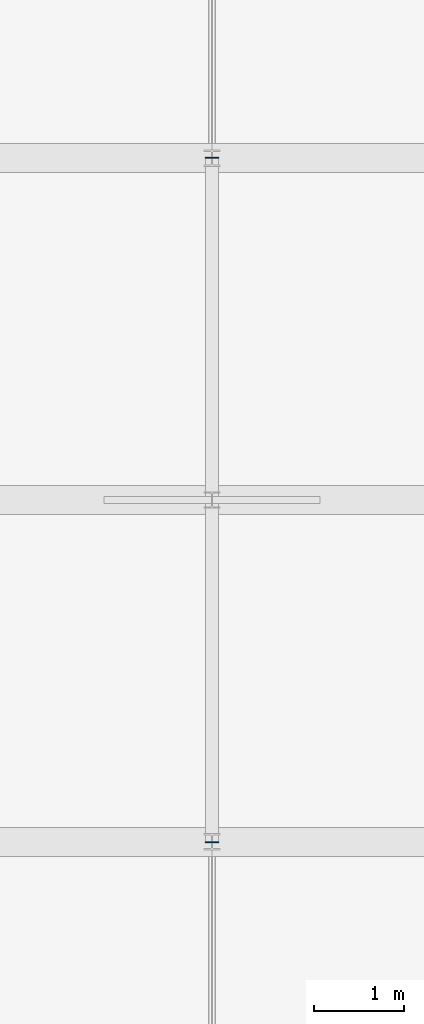
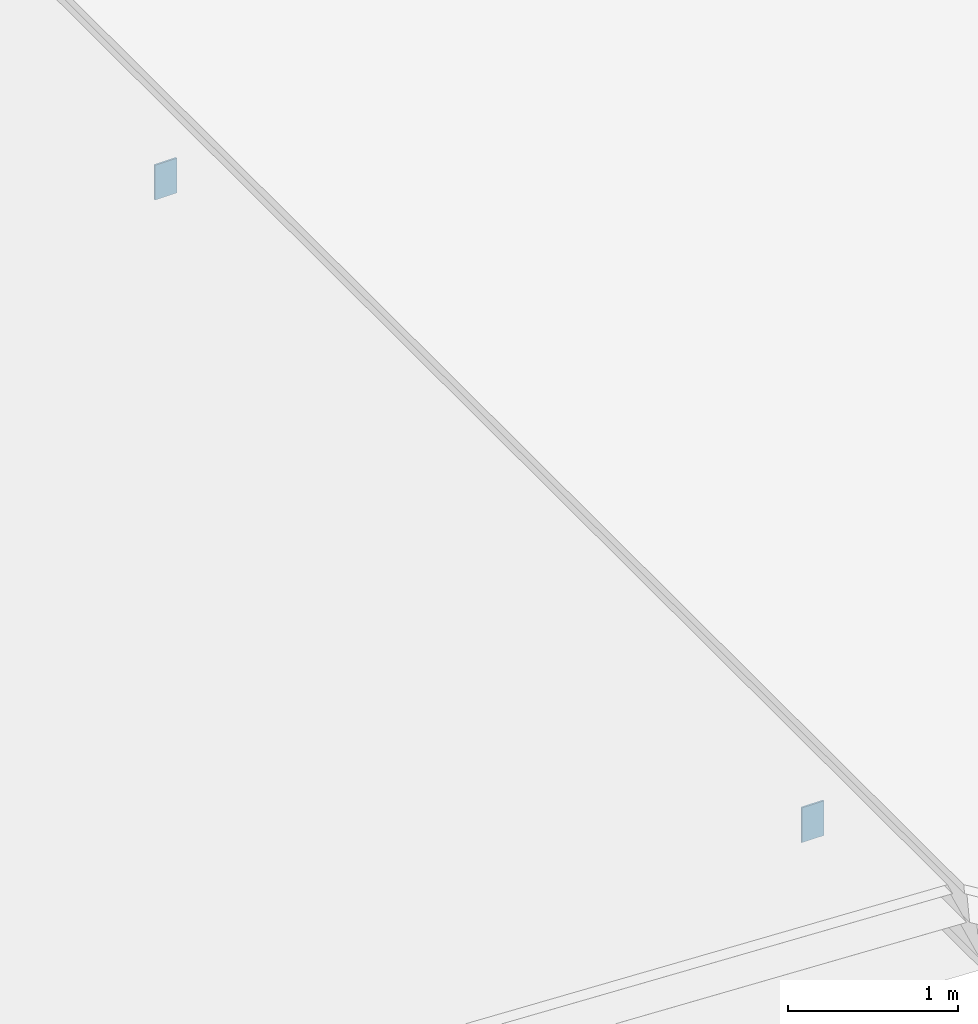
# One storey, part 41 of 61: 2 plates.
"""IFC4 building model written with IfcOpenShell, lengths in metres."""

import ifcopenshell
import ifcopenshell.guid

model = None  # the IFC model being written
_history = None  # IfcOwnerHistory: only IFC2X3 demands one
_inside = {}  # id of a spatial element -> (the spatial element, [elements in it])
_under = {}  # id of a project, library or spatial element -> (it, [spatial elements below it])
_declared = {}  # id of a project -> (the project, [libraries it declares])
_typed = {}  # id of a type object -> (the type object, [elements of that type])
_made_of = {}  # id of a material, layer set ... -> (it, [elements and type objects made of it])


def new_model(schema):
    """Start an empty IFC model of exactly this schema.

    Asked for "IFC4X3", IfcOpenShell would pick the latest addendum, in which some entities
    have other attributes; the version numbers below select the first issue.
    IFC2X3 requires an IfcOwnerHistory on every rooted entity: one is made here for all.
    """
    global model, _history
    if schema == "IFC4X3":
        model = ifcopenshell.file(schema_version=(4, 3, 0, 0))
    else:
        model = ifcopenshell.file(schema=schema)
    _inside.clear()
    _under.clear()
    _declared.clear()
    _typed.clear()
    _made_of.clear()
    _history = None
    if model.schema == "IFC2X3":
        org = make("IfcOrganization", Name="unknown")
        user = make(
            "IfcPersonAndOrganization",
            ThePerson=make("IfcPerson", FamilyName="unknown"),
            TheOrganization=org,
        )
        app = make(
            "IfcApplication",
            ApplicationDeveloper=org,
            Version="unknown",
            ApplicationFullName="unknown",
            ApplicationIdentifier="unknown",
        )
        _history = make(
            "IfcOwnerHistory",
            OwningUser=user,
            OwningApplication=app,
            ChangeAction="ADDED",
            CreationDate=0,
        )
    return model


def make(cls, **values):
    """One entity of the class cls with the attributes given. An attribute that is None is left unset."""
    return model.create_entity(
        cls, **{name: value for name, value in values.items() if value is not None}
    )


def rooted(cls, **values):
    """An entity with a GlobalId (a new one), such as an element, a storey or a relation."""
    return make(cls, GlobalId=ifcopenshell.guid.new(), OwnerHistory=_history, **values)


def si_unit(unit_type, name, prefix=None):
    """IfcSIUnit, for example si_unit("LENGTHUNIT", "METRE", prefix="MILLI")."""
    return make("IfcSIUnit", UnitType=unit_type, Prefix=prefix, Name=name)


def assignment(units):
    """IfcUnitAssignment: the units of a project."""
    return None if units is None else make("IfcUnitAssignment", Units=units)


def point(xyz):
    """IfcCartesianPoint."""
    return None if xyz is None else make("IfcCartesianPoint", Coordinates=xyz)


def direction(xyz):
    """IfcDirection."""
    return None if xyz is None else make("IfcDirection", DirectionRatios=xyz)


def frame(location, z_axis=None, x_axis=None):
    """IfcAxis2Placement3D, a coordinate frame: its origin and axes. An axis left out is left unset."""
    return make(
        "IfcAxis2Placement3D",
        Location=point(location),
        Axis=direction(z_axis),
        RefDirection=direction(x_axis),
    )


def frame_2d(location, x_axis=None):
    """IfcAxis2Placement2D, a coordinate frame in the plane: its origin and x axis."""
    return make(
        "IfcAxis2Placement2D", Location=point(location), RefDirection=direction(x_axis)
    )


def origin():
    """The frame at (0, 0, 0) with its axes left unset."""
    return frame((0.0, 0.0, 0.0))


def origin_2d():
    """The frame at (0, 0) in the plane with its x axis left unset."""
    return frame_2d((0.0, 0.0))


def place(relative_to, where):
    """IfcLocalPlacement: puts the frame where relative to a parent placement (None: the world)."""
    return make(
        "IfcLocalPlacement", PlacementRelTo=relative_to, RelativePlacement=where
    )


def context(
    kind, dimensions, precision=None, world=None, true_north=None, identifier=None
):
    """IfcGeometricRepresentationContext, for example the 3D "Model" context."""
    return make(
        "IfcGeometricRepresentationContext",
        ContextIdentifier=identifier,
        ContextType=kind,
        CoordinateSpaceDimension=dimensions,
        Precision=precision,
        WorldCoordinateSystem=world,
        TrueNorth=true_north,
    )


def subcontext(parent, identifier, kind, view, scale=None):
    """IfcGeometricRepresentationSubContext, for example "Body" below "Model"."""
    return make(
        "IfcGeometricRepresentationSubContext",
        ContextIdentifier=identifier,
        ContextType=kind,
        ParentContext=parent,
        TargetScale=scale,
        TargetView=view,
    )


def project(units=None, contexts=None):
    """IfcProject with its units and contexts."""
    return rooted(
        "IfcProject",
        Name="project",
        RepresentationContexts=contexts,
        UnitsInContext=assignment(units),
    )


def spatial(cls, under=None, at=None, **own):
    """A site, building, storey or space (cls), placed at a placement, below another one or the project."""
    s = rooted(cls, ObjectPlacement=at, **own)
    if under is not None:
        _under.setdefault(under.id(), (under, []))[1].append(s)
    return s


def profile(cls, at=None, kind="AREA", **sizes):
    """A parametric profile (cls). Its sizes go by their IFC names, for example OverallWidth=200.0."""
    return make(cls, ProfileType=kind, Position=at, **sizes)


def rectangle(**sizes):
    """IfcRectangleProfileDef."""
    return profile("IfcRectangleProfileDef", **sizes)


def extrude(swept, where, along, depth):
    """IfcExtrudedAreaSolid: the profile swept, set in the frame where, extruded along a direction by depth."""
    return make(
        "IfcExtrudedAreaSolid",
        SweptArea=swept,
        Position=where,
        ExtrudedDirection=direction(along),
        Depth=depth,
    )


def shape(context_of_items, identifier, shape_type, items):
    """IfcShapeRepresentation: the items that make up one representation, for example the "Body"."""
    return make(
        "IfcShapeRepresentation",
        ContextOfItems=context_of_items,
        RepresentationIdentifier=identifier,
        RepresentationType=shape_type,
        Items=items,
    )


def material(Name=None, Category=None):
    """IfcMaterial."""
    return make("IfcMaterial", Name=Name, Category=Category)


def layer(
    of_material, thickness, ventilated=None, Name=None, Category=None, Priority=None
):
    """IfcMaterialLayer: one layer of a wall or slab, of a material (None: an air gap)."""
    return make(
        "IfcMaterialLayer",
        Material=of_material,
        LayerThickness=thickness,
        IsVentilated=ventilated,
        Name=Name,
        Category=Category,
        Priority=Priority,
    )


def layer_set(layers, Name=None):
    """IfcMaterialLayerSet."""
    return make("IfcMaterialLayerSet", MaterialLayers=layers, LayerSetName=Name)


def made_of(thing, what):
    """Note that an element or type object is made of a material, layer set ...; save() writes the relation."""
    if what is not None:
        _made_of.setdefault(what.id(), (what, []))[1].append(thing)
    return thing


def type_object(cls, material=None, **own):
    """A type object (cls), such as IfcWallType, which elements share."""
    return made_of(rooted(cls, **own), material)


def element(
    cls,
    number,
    at=None,
    inside=None,
    cuts=None,
    type_object=None,
    material=None,
    context=None,
    identifier="Body",
    shape_type=None,
    held_by="IfcProductDefinitionShape",
    body=None,
    shapes=None,
    **own,
):
    """One element of the class cls, such as IfcWall. Its Tag is "e" and its number.

    at: its placement. inside: the storey or other place that contains it. cuts: it is an
    opening in that element (IfcRelVoidsElement). A single representation is given by context,
    identifier, shape_type and body (its items); several are given by shapes. held_by: the class
    of the entity that holds the representations. save() writes the other relations.
    """
    e = rooted(cls, Tag="e%d" % number, ObjectPlacement=at, **own)
    if body is not None:
        shapes = [shape(context, identifier, shape_type, body)]
    if shapes is not None:
        e.Representation = make(held_by, Representations=shapes)
    if inside is not None:
        _inside.setdefault(inside.id(), (inside, []))[1].append(e)
    if cuts is not None:
        rooted(
            "IfcRelVoidsElement", RelatingBuildingElement=cuts, RelatedOpeningElement=e
        )
    if type_object is not None:
        _typed.setdefault(type_object.id(), (type_object, []))[1].append(e)
    return made_of(e, material)


def aggregate(whole, parts):
    """IfcRelAggregates: a whole, such as a stair, and the parts it consists of."""
    return rooted("IfcRelAggregates", RelatingObject=whole, RelatedObjects=parts)


def save(model, path):
    """Write the relations noted so far, then the file.

    IfcRelAggregates (storeys below a building ...), IfcRelContainedInSpatialStructure (elements
    in a storey), IfcRelDefinesByType, IfcRelAssociatesMaterial and IfcRelDeclares: one each for
    every whole, place, type object, material and project.
    """
    for whole, parts in _under.values():
        aggregate(whole, parts)
    for where, things in _inside.values():
        rooted(
            "IfcRelContainedInSpatialStructure",
            RelatedElements=things,
            RelatingStructure=where,
        )
    for kind, things in _typed.values():
        rooted("IfcRelDefinesByType", RelatedObjects=things, RelatingType=kind)
    for what, things in _made_of.values():
        rooted("IfcRelAssociatesMaterial", RelatedObjects=things, RelatingMaterial=what)
    for by, libraries in _declared.values():
        rooted("IfcRelDeclares", RelatingContext=by, RelatedDefinitions=libraries)
    model.write(path)


model = new_model("IFC4")

# Units and contexts
model_context = context("Model", 3, precision=1e-05, world=origin(), true_north=direction((0.0, 1.0)))
body_context = subcontext(model_context, "Body", "Model", "MODEL_VIEW")
ifc_project = project(units=[si_unit("LENGTHUNIT", "METRE"), si_unit("AREAUNIT", "SQUARE_METRE"), si_unit("VOLUMEUNIT", "CUBIC_METRE"), si_unit("PLANEANGLEUNIT", "RADIAN"), si_unit("MASSUNIT", "GRAM", prefix="KILO")], contexts=[model_context])

# Site, building, storey
site_placement = place(None, origin())
site = spatial("IfcSite", under=ifc_project, at=site_placement, CompositionType="ELEMENT")
building_placement = place(site_placement, origin())
building = spatial("IfcBuilding", under=site, at=building_placement, Name="Vellmiral Cinema and Media Centre", CompositionType="ELEMENT")
storey_placement = place(building_placement, frame((0.0, 0.0, 10.800048828125)))
storey = spatial("IfcBuildingStorey", under=building, at=storey_placement, Name="L02", CompositionType="ELEMENT", Elevation=10.800048828125)

# Plates
ifc_material = material(Name="Steel S355", Category="steel")
ifc_layer = layer(ifc_material, 0.011962890625, Name="Steel S355")
ifc_layer_set = layer_set([ifc_layer], Name="Steel S355")
plate_type = type_object("IfcPlateType", Name="PLT-CAP-250", PredefinedType="SHEET", material=ifc_layer_set)
for number, where, z_axis, x_axis, name in (
    (1, (136.0, 16.594482421875, 7.5068359375), (0.0, 0.0, 1.0), (1.0, 0.0, 0.0), "Roof Purlin 5.3.1 End Cap Plate"),
    (2, (136.0, 24.20556640625, 7.5068359375), (0.0, 0.0, 1.0), (1.0, 0.0, 0.0), "Roof Purlin 5.3.2 End Cap Plate"),
):
    element("IfcPlate", number, at=place(storey_placement, frame(where, z_axis=z_axis, x_axis=x_axis)), inside=storey, type_object=plate_type, Name=name, PredefinedType="SHEET", context=body_context, shape_type="SweptSolid", body=[
        extrude(rectangle(XDim=0.14990234375, YDim=0.011962890625, at=origin_2d()), origin(), (0.0, 0.0, 1.0), 0.25),
    ])

save(model, "model.ifc")
